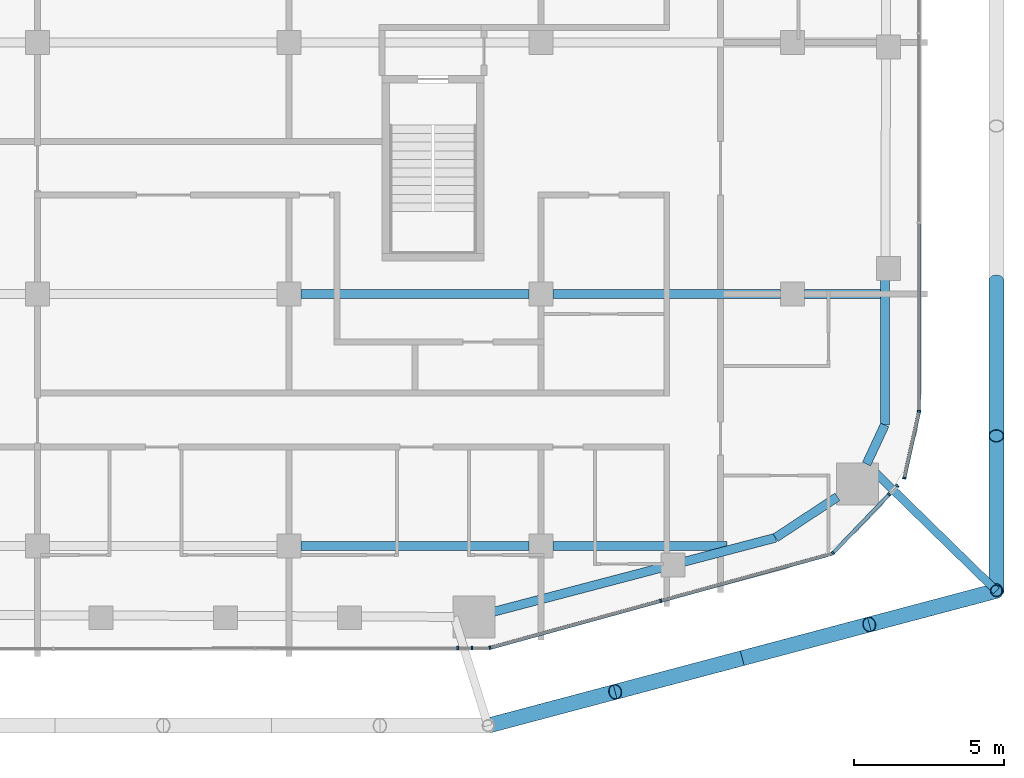
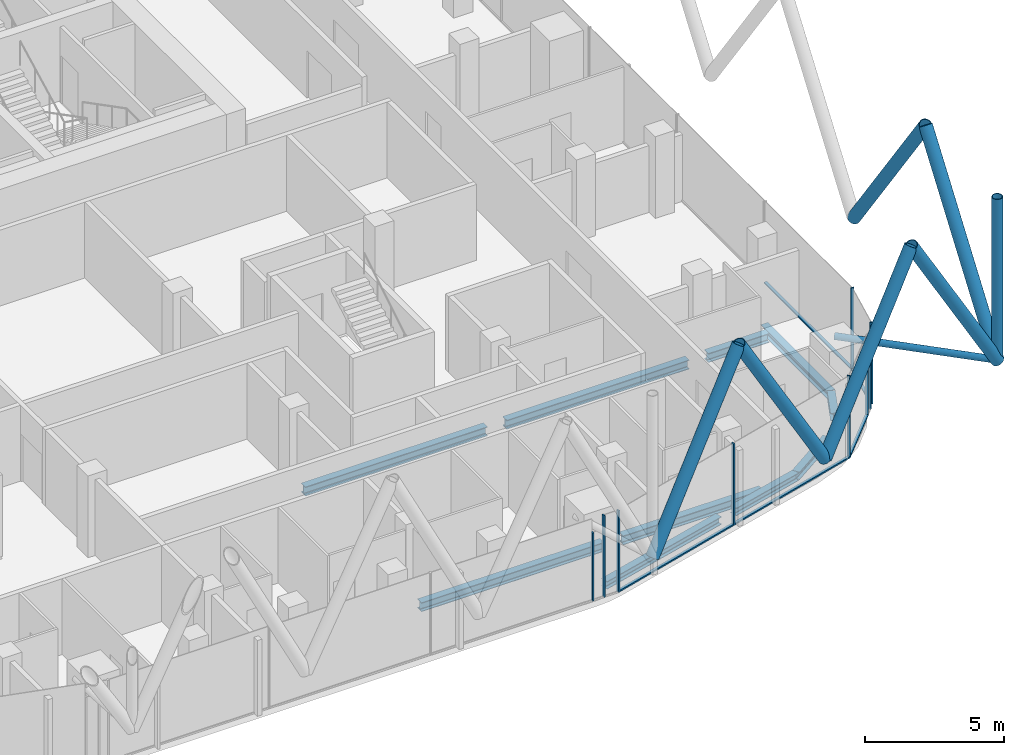
# One storey, part 6 of 28: 22 members, 10 beams, 7 elements without a shape of their own.
"""IFC4 building model written with IfcOpenShell, lengths in metres."""

from ifc_helpers import new_model, si_unit, direction, frame, origin, origin_2d, place, context, subcontext, project, spatial, rectangle, hollow_circle, i_section, extrude, material, layer, layer_set, material_profile, profile_set, type_object, element, aggregate, save


model = new_model("IFC4")

# Units and contexts
model_context = context("Model", 3, precision=1e-05, world=origin(), true_north=direction((0.0, 1.0)))
body_context = subcontext(model_context, "Body", "Model", "MODEL_VIEW")
ifc_project = project(units=[si_unit("LENGTHUNIT", "METRE"), si_unit("AREAUNIT", "SQUARE_METRE"), si_unit("VOLUMEUNIT", "CUBIC_METRE"), si_unit("PLANEANGLEUNIT", "RADIAN"), si_unit("MASSUNIT", "GRAM", prefix="KILO")], contexts=[model_context])

# Site, building, storey
site_placement = place(None, origin())
site = spatial("IfcSite", under=ifc_project, at=site_placement, CompositionType="ELEMENT")
building_placement = place(site_placement, origin())
building = spatial("IfcBuilding", under=site, at=building_placement, Name="Marenta Gate Hotel Tower", CompositionType="ELEMENT")
storey_placement = place(building_placement, frame((0.0, 0.0, 198.5)))
storey = spatial("IfcBuildingStorey", under=building, at=storey_placement, Name="L45", CompositionType="ELEMENT", Elevation=198.5)

# Members
ifc_material_1 = material(Name="Steel S355J2W", Category="steel")
ifc_material_profile_1 = material_profile(ifc_material_1, hollow_circle(Radius=0.203125, WallThickness=0.02490234375, at=origin_2d()), Name="CHS 406.4x25")
ifc_profile_set_1 = profile_set([ifc_material_profile_1], Name="Steel S355J2W")
member_type_1 = type_object("IfcMemberType", Name="Diagrid corner post Z3 CHS 406.4x25", PredefinedType="POST", material=ifc_profile_set_1)
member_1_placement = place(storey_placement, frame((27.800048828125, -26.7001953125, 3.139892578125), z_axis=(0.0, 0.0, 1.0), x_axis=(1.0, 0.0, 0.0)))
element("IfcMember", 1, at=member_1_placement, inside=storey, type_object=member_type_1, Name="L45-DR-2", PredefinedType="POST", context=body_context, shape_type="SweptSolid", body=[
    extrude(hollow_circle(Radius=0.203125, WallThickness=0.02490234375, at=origin_2d()), origin(), (0.0, 0.0, 1.0), 7.2001953125),
])
ifc_material_2 = material(Name="Steel S355J2W", Category="steel")
ifc_material_profile_2 = material_profile(ifc_material_2, hollow_circle(Radius=0.25390625, WallThickness=0.02490234375, at=origin_2d()), Name="CHS 508x25")
ifc_profile_set_2 = profile_set([ifc_material_profile_2], Name="Steel S355J2W")
member_type_2 = type_object("IfcMemberType", Name="Diagrid diagonal Z3 CHS 508x25", PredefinedType="BRACE", material=ifc_profile_set_2)
member_2_placement = place(storey_placement, frame((27.800048828125, -16.360107421875, 3.139892578125), z_axis=(0.0, -0.583247791947, 0.812294289767), x_axis=(1.0, 0.0, 0.0)))
element("IfcMember", 2, at=member_2_placement, inside=storey, type_object=member_type_2, Name="L45-DG-9", PredefinedType="BRACE", context=body_context, shape_type="SweptSolid", body=[
    extrude(hollow_circle(Radius=0.25390625, WallThickness=0.02490234375, at=origin_2d()), origin(), (0.0, 0.0, 1.0), 8.864013671875),
])
member_3_placement = place(storey_placement, frame((27.800048828125, -26.7001953125, 3.139892578125), z_axis=(0.0, 0.583265964901, 0.81228124082), x_axis=(-1.0, 0.0, 0.0)))
element("IfcMember", 3, at=member_3_placement, inside=storey, type_object=member_type_2, Name="L45-DG-10", PredefinedType="BRACE", context=body_context, shape_type="SweptSolid", body=[
    extrude(hollow_circle(Radius=0.25390625, WallThickness=0.02490234375, at=origin_2d()), origin(), (0.0, 0.0, 1.0), 8.8642578125),
])
for number, where, z_axis, x_axis, name in (
    (4, (27.800048828125, -26.7001953125, 3.139892578125), (-0.50291158245, -0.13343024942, 0.853976761263), (0.256443187528, -0.96655930577, 0.0), "L45-DG-11"),
    (5, (19.319580078125, -28.9501953125, 3.139892578125), (0.50291158245, 0.13343024942, 0.853976761263), (-0.256443187528, 0.96655930577, 0.0), "L45-DG-12"),
    (6, (19.319580078125, -28.9501953125, 3.139892578125), (-0.502913525317, -0.133401808564, 0.853980060379), (0.256391194513, -0.966573098827, 0.0), "L45-DG-13"),
    (7, (10.839111328125, -31.199951171875, 3.139892578125), (0.50291158245, 0.13343024942, 0.853976761263), (-0.256443187528, 0.96655930577, 0.0), "L45-DG-14"),
):
    element("IfcMember", number, at=place(storey_placement, frame(where, z_axis=z_axis, x_axis=x_axis)), inside=storey, type_object=member_type_2, Name=name, PredefinedType="BRACE", context=body_context, shape_type="SweptSolid", body=[
        extrude(hollow_circle(Radius=0.25390625, WallThickness=0.02490234375, at=origin_2d()), origin(), (0.0, 0.0, 1.0), 8.431396484375),
    ])

# Beams
ifc_material_3 = material(Name="Steel S355", Category="steel")
ifc_material_profile_3 = material_profile(ifc_material_3, i_section(OverallWidth=0.300048828125, OverallDepth=0.340087890625, WebThickness=0.011962890625, FlangeThickness=0.021484375, FilletRadius=0.027099609375, at=origin_2d()), Name="HEB 340")
ifc_profile_set_3 = profile_set([ifc_material_profile_3], Name="Steel S355")
beam_type_1 = type_object("IfcBeamType", Name="Edge beam HEB 340", PredefinedType="SPANDREL", material=ifc_profile_set_3)
beam_1_placement = place(storey_placement, frame((24.09130859375, -16.31201171875, -0.429931640625), z_axis=(-0.003318732666, -0.999994492992, 0.0), x_axis=(0.999994492992, -0.003318732666, 0.0)))
element("IfcBeam", 8, at=beam_1_placement, inside=storey, type_object=beam_type_1, Name="L45-EB-27", PredefinedType="SPANDREL", context=body_context, shape_type="SweptSolid", body=[
    extrude(i_section(OverallWidth=0.300048828125, OverallDepth=0.340087890625, WebThickness=0.011962890625, FlangeThickness=0.021484375, FilletRadius=0.027099609375, at=origin_2d()), origin(), (0.0, 0.0, 1.0), 4.855224609375),
])
beam_2_placement = place(storey_placement, frame((24.0751953125, -21.167236328125, -0.429931640625), z_axis=(-0.423341112024, -0.905970365338, 0.0), x_axis=(0.905970365338, -0.423341112024, 0.0)))
element("IfcBeam", 9, at=beam_2_placement, inside=storey, type_object=beam_type_1, Name="L45-EB-28", PredefinedType="SPANDREL", context=body_context, shape_type="SweptSolid", body=[
    extrude(i_section(OverallWidth=0.300048828125, OverallDepth=0.340087890625, WebThickness=0.011962890625, FlangeThickness=0.021484375, FilletRadius=0.027099609375, at=origin_2d()), origin(), (0.0, 0.0, 1.0), 1.437255859375),
])
beam_3_placement = place(storey_placement, frame((22.496337890625, -23.56640625, -0.429931640625), z_axis=(-0.834528740585, -0.550964410047, 0.0), x_axis=(0.550964410047, -0.834528740585, 0.0)))
element("IfcBeam", 10, at=beam_3_placement, inside=storey, type_object=beam_type_1, Name="L45-EB-29", PredefinedType="SPANDREL", context=body_context, shape_type="SweptSolid", body=[
    extrude(i_section(OverallWidth=0.300048828125, OverallDepth=0.340087890625, WebThickness=0.011962890625, FlangeThickness=0.021484375, FilletRadius=0.027099609375, at=origin_2d()), origin(), (0.0, 0.0, 1.0), 2.47705078125),
])
beam_4_placement = place(storey_placement, frame((20.42919921875, -24.93115234375, -0.429931640625), z_axis=(-0.967235227858, -0.253881889845, 0.0), x_axis=(0.253881889845, -0.967235227858, 0.0)))
element("IfcBeam", 11, at=beam_4_placement, inside=storey, type_object=beam_type_1, Name="L45-EB-30", PredefinedType="SPANDREL", context=body_context, shape_type="SweptSolid", body=[
    extrude(i_section(OverallWidth=0.300048828125, OverallDepth=0.340087890625, WebThickness=0.011962890625, FlangeThickness=0.021484375, FilletRadius=0.027099609375, at=origin_2d()), origin(), (0.0, 0.0, 1.0), 3.164794921875),
])
beam_5_placement = place(storey_placement, frame((16.6455078125, -25.92431640625, -0.429931640625), z_axis=(-0.96723496524, -0.253882890359, 0.0), x_axis=(0.253882890359, -0.96723496524, 0.0)))
element("IfcBeam", 12, at=beam_5_placement, inside=storey, type_object=beam_type_1, Name="L45-EB-31", PredefinedType="SPANDREL", context=body_context, shape_type="SweptSolid", body=[
    extrude(i_section(OverallWidth=0.300048828125, OverallDepth=0.340087890625, WebThickness=0.011962890625, FlangeThickness=0.021484375, FilletRadius=0.027099609375, at=origin_2d()), origin(), (0.0, 0.0, 1.0), 5.80810546875),
])

# Member
ifc_material_4 = material(Name="Steel S355J2W", Category="steel")
ifc_material_profile_4 = material_profile(ifc_material_4, hollow_circle(Radius=0.136474609375, WallThickness=0.012451171875, at=origin_2d()), Name="CHS 273x12.5")
ifc_profile_set_4 = profile_set([ifc_material_profile_4], Name="Steel S355J2W")
member_type_3 = type_object("IfcMemberType", Name="Floor tie CHS 273x12.5", PredefinedType="STRUT", material=ifc_profile_set_4)
member_4_placement = place(storey_placement, frame((27.800048828125, -26.7001953125, 3.139892578125), z_axis=(-0.715510328178, 0.698602154499, 0.0), x_axis=(-0.698602154499, -0.715510328178, 0.0)))
element("IfcMember", 13, at=member_4_placement, inside=storey, type_object=member_type_3, Name="L45-DR-8", PredefinedType="STRUT", context=body_context, shape_type="SweptSolid", body=[
    extrude(hollow_circle(Radius=0.136474609375, WallThickness=0.012451171875, at=origin_2d()), origin(), (0.0, 0.0, 1.0), 6.050048828125),
])

# Beams
ifc_material_5 = material(Name="Steel S355", Category="steel")
ifc_material_profile_5 = material_profile(ifc_material_5, i_section(OverallWidth=0.300048828125, OverallDepth=0.39990234375, WebThickness=0.013427734375, FlangeThickness=0.02392578125, FilletRadius=0.027099609375, at=origin_2d()), Name="HEB 400")
ifc_profile_set_5 = profile_set([ifc_material_profile_5], Name="Steel S355")
beam_type_2 = type_object("IfcBeamType", Name="Girder HEB 400", PredefinedType="BEAM", material=ifc_profile_set_5)
beam_6_placement = place(storey_placement, frame((4.60009765625, -25.199951171875, -0.4599609375), z_axis=(1.0, 0.0, 0.0), x_axis=(0.0, 1.0, 0.0)))
element("IfcBeam", 14, at=beam_6_placement, inside=storey, type_object=beam_type_2, Name="L45-GD-4", PredefinedType="BEAM", context=body_context, shape_type="SweptSolid", body=[
    extrude(i_section(OverallWidth=0.300048828125, OverallDepth=0.39990234375, WebThickness=0.013427734375, FlangeThickness=0.02392578125, FilletRadius=0.027099609375, at=origin_2d()), origin(), (0.0, 0.0, 1.0), 7.599853515625),
])
beam_7_placement = place(storey_placement, frame((13.0, -25.199951171875, -0.4599609375), z_axis=(1.0, 0.0, 0.0), x_axis=(0.0, 1.0, 0.0)))
element("IfcBeam", 15, at=beam_7_placement, inside=storey, type_object=beam_type_2, Name="L45-GD-5", PredefinedType="BEAM", context=body_context, shape_type="SweptSolid", body=[
    extrude(i_section(OverallWidth=0.300048828125, OverallDepth=0.39990234375, WebThickness=0.013427734375, FlangeThickness=0.02392578125, FilletRadius=0.027099609375, at=origin_2d()), origin(), (0.0, 0.0, 1.0), 5.81396484375),
])
beam_8_placement = place(storey_placement, frame((4.60009765625, -16.800048828125, -0.4599609375), z_axis=(1.0, 0.0, 0.0), x_axis=(0.0, 1.0, 0.0)))
element("IfcBeam", 16, at=beam_8_placement, inside=storey, type_object=beam_type_2, Name="L45-GD-10", PredefinedType="BEAM", context=body_context, shape_type="SweptSolid", body=[
    extrude(i_section(OverallWidth=0.300048828125, OverallDepth=0.39990234375, WebThickness=0.013427734375, FlangeThickness=0.02392578125, FilletRadius=0.027099609375, at=origin_2d()), origin(), (0.0, 0.0, 1.0), 7.599853515625),
])
beam_9_placement = place(storey_placement, frame((13.0, -16.800048828125, -0.4599609375), z_axis=(1.0, 0.0, 0.0), x_axis=(0.0, 1.0, 0.0)))
element("IfcBeam", 17, at=beam_9_placement, inside=storey, type_object=beam_type_2, Name="L45-GD-11", PredefinedType="BEAM", context=body_context, shape_type="SweptSolid", body=[
    extrude(i_section(OverallWidth=0.300048828125, OverallDepth=0.39990234375, WebThickness=0.013427734375, FlangeThickness=0.02392578125, FilletRadius=0.027099609375, at=origin_2d()), origin(), (0.0, 0.0, 1.0), 7.60009765625),
])
beam_10_placement = place(storey_placement, frame((21.39990234375, -16.800048828125, -0.4599609375), z_axis=(1.0, 0.0, 0.0), x_axis=(0.0, 1.0, 0.0)))
element("IfcBeam", 18, at=beam_10_placement, inside=storey, type_object=beam_type_2, Name="L45-GD-12", PredefinedType="BEAM", context=body_context, shape_type="SweptSolid", body=[
    extrude(i_section(OverallWidth=0.300048828125, OverallDepth=0.39990234375, WebThickness=0.013427734375, FlangeThickness=0.02392578125, FilletRadius=0.027099609375, at=origin_2d()), origin(), (0.0, 0.0, 1.0), 2.539794921875),
])

# Curtain wall, member
ifc_material_6 = material(Name="Tinted insulated glass in bronze anodised frame", Category="glass")
ifc_layer = layer(ifc_material_6, 0.1201171875)
ifc_layer_set = layer_set([ifc_layer], Name="Tinted insulated glass in bronze anodised frame")
curtain_wall_type = type_object("IfcCurtainWallType", Name="Tower unitised curtain wall CW1", PredefinedType="NOTDEFINED", material=ifc_layer_set)
curtain_wall_1_placement = place(storey_placement, origin())
curtain_wall_1 = element("IfcCurtainWall", 19, at=curtain_wall_1_placement, inside=storey, type_object=curtain_wall_type, Name="CW1 run G13", PredefinedType="NOTDEFINED")
ifc_material_7 = material(Name="Bronze anodised aluminium", Category="aluminium")
ifc_material_profile_6 = material_profile(ifc_material_7, rectangle(XDim=0.1201171875, YDim=0.06005859375, at=origin_2d()), Name="Mullion CW1 60x120 bronze anodised aluminium")
ifc_profile_set_6 = profile_set([ifc_material_profile_6], Name="Bronze anodised aluminium")
member_type_4 = type_object("IfcMemberType", Name="Mullion CW1 60x120 bronze anodised aluminium", PredefinedType="MULLION", material=ifc_profile_set_6)
member_5_placement = place(storey_placement, frame((9.824951171875, -28.6142578125, 0.0), z_axis=(0.0, 0.0, 1.0), x_axis=(-0.001686693784, 0.999998577531, 0.0)))
member_5 = element("IfcMember", 20, at=member_5_placement, type_object=member_type_4, Name="CW1 mullion 1", PredefinedType="MULLION", context=body_context, shape_type="SweptSolid", body=[
    extrude(rectangle(XDim=0.1201171875, YDim=0.06005859375, at=origin_2d()), origin(), (0.0, 0.0, 1.0), 3.00048828125),
])
aggregate(curtain_wall_1, [member_5])

curtain_wall_2_placement = place(storey_placement, origin())
curtain_wall_2 = element("IfcCurtainWall", 21, at=curtain_wall_2_placement, inside=storey, type_object=curtain_wall_type, Name="CW1 run G14", PredefinedType="NOTDEFINED")
member_6_placement = place(storey_placement, frame((10.29931640625, -28.613525390625, 0.0), z_axis=(0.0, 0.0, 1.0), x_axis=(-0.001654257461, 0.999998631715, 0.0)))
member_6 = element("IfcMember", 22, at=member_6_placement, type_object=member_type_4, Name="CW1 mullion 1", PredefinedType="MULLION", context=body_context, shape_type="SweptSolid", body=[
    extrude(rectangle(XDim=0.1201171875, YDim=0.06005859375, at=origin_2d()), origin(), (0.0, 0.0, 1.0), 3.60009765625),
])
aggregate(curtain_wall_2, [member_6])

# Curtain wall, members
curtain_wall_3_placement = place(storey_placement, origin())
curtain_wall_3 = element("IfcCurtainWall", 23, at=curtain_wall_3_placement, inside=storey, type_object=curtain_wall_type, Name="CW1 run G15", PredefinedType="NOTDEFINED")
member_7_placement = place(storey_placement, frame((10.902587890625, -28.6044921875, 0.0), z_axis=(0.0, 0.0, 1.0), x_axis=(-0.265293272675, 0.964167765212, 0.0)))
member_7 = element("IfcMember", 24, at=member_7_placement, type_object=member_type_4, Name="CW1 mullion 1", PredefinedType="MULLION", context=body_context, shape_type="SweptSolid", body=[
    extrude(rectangle(XDim=0.1201171875, YDim=0.06005859375, at=origin_2d()), origin(), (0.0, 0.0, 1.0), 3.60009765625),
])
member_8_placement = place(storey_placement, frame((16.599365234375, -27.037109375, 0.0), z_axis=(0.0, 0.0, 1.0), x_axis=(-0.265293272675, 0.964167765212, 0.0)))
member_8 = element("IfcMember", 25, at=member_8_placement, type_object=member_type_4, Name="CW1 mullion 2", PredefinedType="MULLION", context=body_context, shape_type="SweptSolid", body=[
    extrude(rectangle(XDim=0.1201171875, YDim=0.06005859375, at=origin_2d()), origin(), (0.0, 0.0, 1.0), 3.60009765625),
])

# Curtain wall, member
curtain_wall_4_placement = place(storey_placement, origin())
curtain_wall_4 = element("IfcCurtainWall", 26, at=curtain_wall_4_placement, inside=storey, type_object=curtain_wall_type, Name="CW1 run G16", PredefinedType="NOTDEFINED")
member_9_placement = place(storey_placement, frame((22.345458984375, -25.43994140625, 0.0), z_axis=(0.0, 0.0, 1.0), x_axis=(-0.721374796599, 0.692544874237, 0.0)))
member_9 = element("IfcMember", 27, at=member_9_placement, type_object=member_type_4, Name="CW1 mullion 1", PredefinedType="MULLION", context=body_context, shape_type="SweptSolid", body=[
    extrude(rectangle(XDim=0.1201171875, YDim=0.06005859375, at=origin_2d()), origin(), (0.0, 0.0, 1.0), 3.60009765625),
])

# Curtain wall, members
curtain_wall_5_placement = place(storey_placement, origin())
curtain_wall_5 = element("IfcCurtainWall", 28, at=curtain_wall_5_placement, inside=storey, type_object=curtain_wall_type, Name="CW1 run G17", PredefinedType="NOTDEFINED")
member_10_placement = place(storey_placement, frame((24.22412109375, -23.4833984375, 0.0), z_axis=(0.0, 0.0, 1.0), x_axis=(-0.721418199888, 0.692499661278, 0.0)))
member_10 = element("IfcMember", 29, at=member_10_placement, type_object=member_type_4, Name="CW1 mullion 1", PredefinedType="MULLION", context=body_context, shape_type="SweptSolid", body=[
    extrude(rectangle(XDim=0.1201171875, YDim=0.06005859375, at=origin_2d()), origin(), (0.0, 0.0, 1.0), 3.00048828125),
])
member_11_placement = place(storey_placement, frame((24.496337890625, -23.199951171875, 0.0), z_axis=(0.0, 0.0, 1.0), x_axis=(-0.721418199888, 0.692499661278, 0.0)))
member_11 = element("IfcMember", 30, at=member_11_placement, type_object=member_type_4, Name="CW1 mullion 2", PredefinedType="MULLION", context=body_context, shape_type="SweptSolid", body=[
    extrude(rectangle(XDim=0.1201171875, YDim=0.06005859375, at=origin_2d()), origin(), (0.0, 0.0, 1.0), 3.00048828125),
])
aggregate(curtain_wall_5, [member_10, member_11])

# Curtain wall, member
curtain_wall_6_placement = place(storey_placement, origin())
curtain_wall_6 = element("IfcCurtainWall", 31, at=curtain_wall_6_placement, inside=storey, type_object=curtain_wall_type, Name="CW1 run G18", PredefinedType="NOTDEFINED")
member_12_placement = place(storey_placement, frame((24.726806640625, -22.937255859375, 0.0), z_axis=(0.0, 0.0, 1.0), x_axis=(-0.97620669183, 0.216842096529, 0.0)))
member_12 = element("IfcMember", 32, at=member_12_placement, type_object=member_type_4, Name="CW1 mullion 1", PredefinedType="MULLION", context=body_context, shape_type="SweptSolid", body=[
    extrude(rectangle(XDim=0.1201171875, YDim=0.06005859375, at=origin_2d()), origin(), (0.0, 0.0, 1.0), 3.60009765625),
])

curtain_wall_7_placement = place(storey_placement, origin())
curtain_wall_7 = element("IfcCurtainWall", 33, at=curtain_wall_7_placement, inside=storey, type_object=curtain_wall_type, Name="CW1 run G19", PredefinedType="NOTDEFINED")
member_13_placement = place(storey_placement, frame((25.214111328125, -20.7138671875, 0.0), z_axis=(0.0, 0.0, 1.0), x_axis=(-1.0, 0.0, 0.0)))
member_13 = element("IfcMember", 34, at=member_13_placement, type_object=member_type_4, Name="CW1 mullion 1", PredefinedType="MULLION", context=body_context, shape_type="SweptSolid", body=[
    extrude(rectangle(XDim=0.1201171875, YDim=0.06005859375, at=origin_2d()), origin(), (0.0, 0.0, 1.0), 3.60009765625),
])

# Member
ifc_material_8 = material(Name="Bronze anodised aluminium", Category="aluminium")
ifc_material_profile_7 = material_profile(ifc_material_8, rectangle(XDim=0.1201171875, YDim=0.06005859375, at=origin_2d()), Name="Transom CW1 60x120 bronze anodised aluminium")
ifc_profile_set_7 = profile_set([ifc_material_profile_7], Name="Bronze anodised aluminium")
member_type_5 = type_object("IfcMemberType", Name="Transom CW1 60x120 bronze anodised aluminium", PredefinedType="USERDEFINED", material=ifc_profile_set_7)
member_14_placement = place(storey_placement, frame((10.931640625, -28.5966796875, 0.030029296875), z_axis=(0.964166959812, 0.265296199758, 0.0), x_axis=(-0.265296199758, 0.964166959812, 0.0)))
member_14 = element("IfcMember", 35, at=member_14_placement, type_object=member_type_5, Name="CW1 transom 1.1", ObjectType="TRANSOM", PredefinedType="USERDEFINED", context=body_context, shape_type="SweptSolid", body=[
    extrude(rectangle(XDim=0.1201171875, YDim=0.06005859375, at=origin_2d()), origin(), (0.0, 0.0, 1.0), 5.84814453125),
])

member_15_placement = place(storey_placement, frame((16.628173828125, -27.029052734375, 0.030029296875), z_axis=(0.964169199953, 0.265288058274, 0.0), x_axis=(-0.265288058274, 0.964169199953, 0.0)))
member_15 = element("IfcMember", 36, at=member_15_placement, type_object=member_type_5, Name="CW1 transom 2.1", ObjectType="TRANSOM", PredefinedType="USERDEFINED", context=body_context, shape_type="SweptSolid", body=[
    extrude(rectangle(XDim=0.1201171875, YDim=0.06005859375, at=origin_2d()), origin(), (0.0, 0.0, 1.0), 5.908203125),
])

aggregate(curtain_wall_3, [member_7, member_8, member_14, member_15])

member_16_placement = place(storey_placement, frame((22.366455078125, -25.41845703125, 0.030029296875), z_axis=(0.692508837001, 0.721409391868, 0.0), x_axis=(-0.721409391868, 0.692508837001, 0.0)))
member_16 = element("IfcMember", 37, at=member_16_placement, type_object=member_type_5, Name="CW1 transom 1.1", ObjectType="TRANSOM", PredefinedType="USERDEFINED", context=body_context, shape_type="SweptSolid", body=[
    extrude(rectangle(XDim=0.1201171875, YDim=0.06005859375, at=origin_2d()), origin(), (0.0, 0.0, 1.0), 2.652587890625),
])

aggregate(curtain_wall_4, [member_9, member_16])

member_17_placement = place(storey_placement, frame((24.7333984375, -22.907958984375, 0.030029296875), z_axis=(0.216848830219, 0.976205196069, 0.0), x_axis=(-0.976205196069, 0.216848830219, 0.0)))
member_17 = element("IfcMember", 38, at=member_17_placement, type_object=member_type_5, Name="CW1 transom 1.1", ObjectType="TRANSOM", PredefinedType="USERDEFINED", context=body_context, shape_type="SweptSolid", body=[
    extrude(rectangle(XDim=0.1201171875, YDim=0.06005859375, at=origin_2d()), origin(), (0.0, 0.0, 1.0), 2.216796875),
])

aggregate(curtain_wall_6, [member_12, member_17])

member_18_placement = place(storey_placement, frame((25.214111328125, -20.683837890625, 0.030029296875), z_axis=(0.0, 1.0, 0.0), x_axis=(-1.0, 0.0, 0.0)))
member_18 = element("IfcMember", 39, at=member_18_placement, type_object=member_type_5, Name="CW1 transom 1.1", ObjectType="TRANSOM", PredefinedType="USERDEFINED", context=body_context, shape_type="SweptSolid", body=[
    extrude(rectangle(XDim=0.1201171875, YDim=0.06005859375, at=origin_2d()), origin(), (0.0, 0.0, 1.0), 6.232666015625),
])

aggregate(curtain_wall_7, [member_13, member_18])

save(model, "model.ifc")
